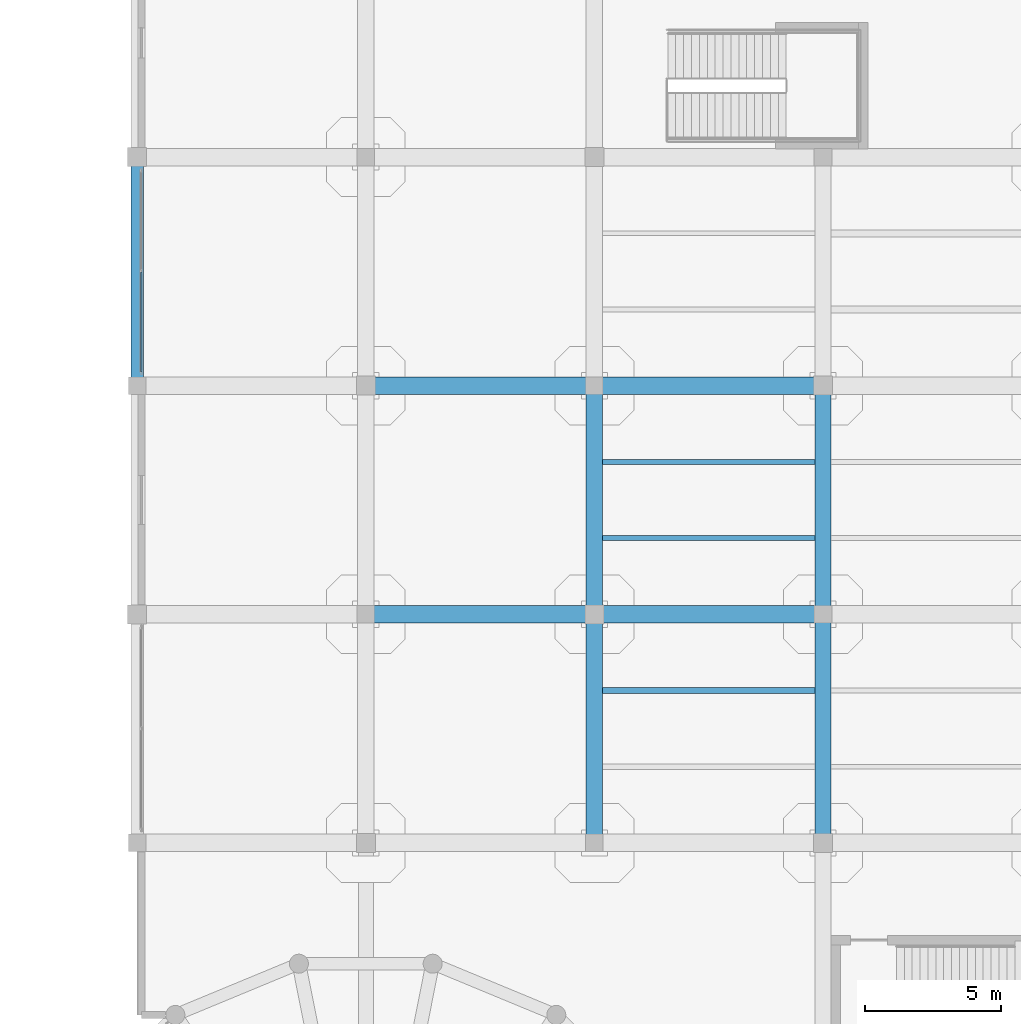
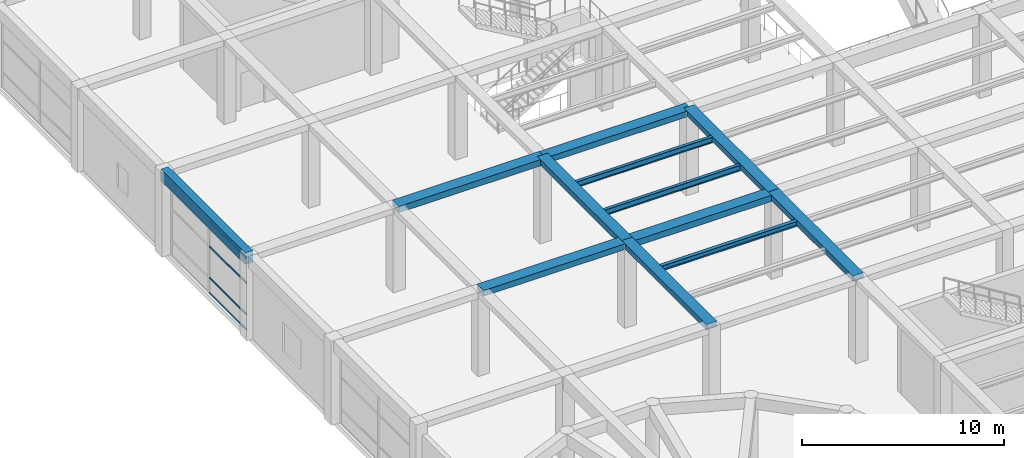
# One storey, part 19 of 95: 12 beams, 4 members, 1 element without a shape of its own.
"""IFC4 building model written with IfcOpenShell, lengths in metres."""

from ifc_helpers import new_model, si_unit, direction, frame, origin, origin_2d, place, context, subcontext, project, spatial, rectangle, hollow_rectangle, i_section, extrude, material, material_profile, profile_set, type_object, element, aggregate, save


model = new_model("IFC4")

# Units and contexts
model_context = context("Model", 3, precision=1e-05, world=origin(), true_north=direction((0.0, 1.0)))
body_context = subcontext(model_context, "Body", "Model", "MODEL_VIEW")
ifc_project = project(units=[si_unit("LENGTHUNIT", "METRE"), si_unit("AREAUNIT", "SQUARE_METRE"), si_unit("VOLUMEUNIT", "CUBIC_METRE"), si_unit("PLANEANGLEUNIT", "RADIAN"), si_unit("MASSUNIT", "GRAM", prefix="KILO")], contexts=[model_context])

# Site, building, storey
site_placement = place(None, origin())
site = spatial("IfcSite", under=ifc_project, at=site_placement, CompositionType="ELEMENT")
building_placement = place(site_placement, origin())
building = spatial("IfcBuilding", under=site, at=building_placement, Name="Almacenes y Pasaje Nevantli", CompositionType="ELEMENT")
storey_placement = place(building_placement, frame((0.0, 0.0, 11.39990234375)))
storey = spatial("IfcBuildingStorey", under=building, at=storey_placement, Name="L03", CompositionType="ELEMENT", Elevation=11.39990234375)

# Beams
ifc_material_1 = material(Name="Concrete C35/45", Category="concrete")
ifc_material_profile_1 = material_profile(ifc_material_1, rectangle(XDim=0.449951171875, YDim=0.699951171875, at=origin_2d()), Name="RC-BM-450x700")
ifc_profile_set_1 = profile_set([ifc_material_profile_1], Name="Concrete C35/45")
beam_type_1 = type_object("IfcBeamType", Name="BM-RC-450x700", PredefinedType="SPANDREL", material=ifc_profile_set_1)
beam_1_placement = place(storey_placement, frame((0.0, 42.0, 4.75), z_axis=(0.0, 1.0, 0.0), x_axis=(-1.0, 0.0, 0.0)))
element("IfcBeam", 1, at=beam_1_placement, inside=storey, type_object=beam_type_1, Name="L03 North-South Reinforced Concrete Beam #2482", PredefinedType="SPANDREL", context=body_context, shape_type="SweptSolid", body=[
    extrude(rectangle(XDim=0.449951171875, YDim=0.699951171875, at=origin_2d()), origin(), (0.0, 0.0, 1.0), 8.39990234375),
])
ifc_material_2 = material(Name="Concrete C35/45", Category="concrete")
ifc_material_profile_2 = material_profile(ifc_material_2, rectangle(XDim=0.60009765625, YDim=0.320068359375, at=origin_2d()), Name="RC-BM-600x320")
ifc_profile_set_2 = profile_set([ifc_material_profile_2], Name="Concrete C35/45")
beam_type_2 = type_object("IfcBeamType", Name="BM-RC-600x320", PredefinedType="BEAM", material=ifc_profile_set_2)
beam_2_placement = place(storey_placement, frame((16.800048828125, 25.199951171875, 4.940185546875), z_axis=(0.0, 1.0, 0.0), x_axis=(-1.0, 0.0, 0.0)))
element("IfcBeam", 2, at=beam_2_placement, inside=storey, type_object=beam_type_2, Name="L03 North-South Reinforced Concrete Beam #2502", PredefinedType="BEAM", context=body_context, shape_type="SweptSolid", body=[
    extrude(rectangle(XDim=0.60009765625, YDim=0.320068359375, at=origin_2d()), origin(), (0.0, 0.0, 1.0), 8.400146484375),
])
beam_3_placement = place(storey_placement, frame((25.199951171875, 33.60009765625, 4.940185546875), z_axis=(0.0, 1.0, 0.0), x_axis=(-1.0, 0.0, 0.0)))
element("IfcBeam", 3, at=beam_3_placement, inside=storey, type_object=beam_type_2, Name="L03 North-South Reinforced Concrete Beam #2515", PredefinedType="BEAM", context=body_context, shape_type="SweptSolid", body=[
    extrude(rectangle(XDim=0.60009765625, YDim=0.320068359375, at=origin_2d()), origin(), (0.0, 0.0, 1.0), 8.39990234375),
])
ifc_material_3 = material(Name="Concrete C35/45", Category="concrete")
ifc_material_profile_3 = material_profile(ifc_material_3, rectangle(XDim=0.60009765625, YDim=0.340087890625, at=origin_2d()), Name="RC-BM-600x340")
ifc_profile_set_3 = profile_set([ifc_material_profile_3], Name="Concrete C35/45")
beam_type_3 = type_object("IfcBeamType", Name="BM-RC-600x340", PredefinedType="BEAM", material=ifc_profile_set_3)
beam_4_placement = place(storey_placement, frame((16.800048828125, 33.60009765625, 4.93017578125), z_axis=(0.0, 1.0, 0.0), x_axis=(-1.0, 0.0, 0.0)))
element("IfcBeam", 4, at=beam_4_placement, inside=storey, type_object=beam_type_3, Name="L03 North-South Reinforced Concrete Beam #2503", PredefinedType="BEAM", context=body_context, shape_type="SweptSolid", body=[
    extrude(rectangle(XDim=0.60009765625, YDim=0.340087890625, at=origin_2d()), origin(), (0.0, 0.0, 1.0), 8.39990234375),
])
beam_5_placement = place(storey_placement, frame((25.199951171875, 25.199951171875, 4.93017578125), z_axis=(0.0, 1.0, 0.0), x_axis=(-1.0, 0.0, 0.0)))
element("IfcBeam", 5, at=beam_5_placement, inside=storey, type_object=beam_type_3, Name="L03 North-South Reinforced Concrete Beam #2514", PredefinedType="BEAM", context=body_context, shape_type="SweptSolid", body=[
    extrude(rectangle(XDim=0.60009765625, YDim=0.340087890625, at=origin_2d()), origin(), (0.0, 0.0, 1.0), 8.400146484375),
])
ifc_material_4 = material(Name="Concrete C35/45", Category="concrete")
ifc_material_profile_4 = material_profile(ifc_material_4, rectangle(XDim=0.64990234375, YDim=0.35009765625, at=origin_2d()), Name="RC-BM-650x350")
ifc_profile_set_4 = profile_set([ifc_material_profile_4], Name="Concrete C35/45")
beam_type_4 = type_object("IfcBeamType", Name="BM-RC-650x350", PredefinedType="BEAM", material=ifc_profile_set_4)
beam_6_placement = place(storey_placement, frame((8.39990234375, 33.60009765625, 4.925048828125), z_axis=(1.0, 0.0, 0.0), x_axis=(0.0, 1.0, 0.0)))
element("IfcBeam", 6, at=beam_6_placement, inside=storey, type_object=beam_type_4, Name="L03 East-West Reinforced Concrete Beam #2300", PredefinedType="BEAM", context=body_context, shape_type="SweptSolid", body=[
    extrude(rectangle(XDim=0.64990234375, YDim=0.35009765625, at=origin_2d()), origin(), (0.0, 0.0, 1.0), 8.400146484375),
])
beam_7_placement = place(storey_placement, frame((16.800048828125, 42.0, 4.925048828125), z_axis=(1.0, 0.0, 0.0), x_axis=(0.0, 1.0, 0.0)))
element("IfcBeam", 7, at=beam_7_placement, inside=storey, type_object=beam_type_4, Name="L03 East-West Reinforced Concrete Beam #2318", PredefinedType="BEAM", context=body_context, shape_type="SweptSolid", body=[
    extrude(rectangle(XDim=0.64990234375, YDim=0.35009765625, at=origin_2d()), origin(), (0.0, 0.0, 1.0), 8.39990234375),
])
ifc_material_5 = material(Name="Concrete C35/45", Category="concrete")
ifc_material_profile_5 = material_profile(ifc_material_5, rectangle(XDim=0.64990234375, YDim=0.3798828125, at=origin_2d()), Name="RC-BM-650x380")
ifc_profile_set_5 = profile_set([ifc_material_profile_5], Name="Concrete C35/45")
beam_type_5 = type_object("IfcBeamType", Name="BM-RC-650x380", PredefinedType="BEAM", material=ifc_profile_set_5)
beam_8_placement = place(storey_placement, frame((16.800048828125, 33.60009765625, 4.91015625), z_axis=(1.0, 0.0, 0.0), x_axis=(0.0, 1.0, 0.0)))
element("IfcBeam", 8, at=beam_8_placement, inside=storey, type_object=beam_type_5, Name="L03 East-West Reinforced Concrete Beam #2301", PredefinedType="BEAM", context=body_context, shape_type="SweptSolid", body=[
    extrude(rectangle(XDim=0.64990234375, YDim=0.3798828125, at=origin_2d()), origin(), (0.0, 0.0, 1.0), 8.39990234375),
])
beam_9_placement = place(storey_placement, frame((8.39990234375, 42.0, 4.91015625), z_axis=(1.0, 0.0, 0.0), x_axis=(0.0, 1.0, 0.0)))
element("IfcBeam", 9, at=beam_9_placement, inside=storey, type_object=beam_type_5, Name="L03 East-West Reinforced Concrete Beam #2317", PredefinedType="BEAM", context=body_context, shape_type="SweptSolid", body=[
    extrude(rectangle(XDim=0.64990234375, YDim=0.3798828125, at=origin_2d()), origin(), (0.0, 0.0, 1.0), 8.400146484375),
])
ifc_material_6 = material(Name="Steel ASTM A992", Category="steel")
ifc_material_profile_6 = material_profile(ifc_material_6, i_section(OverallWidth=0.205078125, OverallDepth=0.31005859375, WebThickness=0.009521484375, FlangeThickness=0.016357421875, at=origin_2d()), Name="IR 305x74.4")
ifc_profile_set_6 = profile_set([ifc_material_profile_6], Name="Steel ASTM A992")
beam_type_6 = type_object("IfcBeamType", Name="BM-STL-IR-305x74p4", PredefinedType="JOIST", material=ifc_profile_set_6)
beam_10_placement = place(storey_placement, frame((17.10009765625, 30.800048828125, 4.93701171875), z_axis=(1.0, 0.0, 0.0), x_axis=(0.0, 1.0, 0.0)))
element("IfcBeam", 10, at=beam_10_placement, inside=storey, type_object=beam_type_6, Name="L03 Secondary Steel Floor Joist #682", PredefinedType="JOIST", context=body_context, shape_type="SweptSolid", body=[
    extrude(i_section(OverallWidth=0.205078125, OverallDepth=0.31005859375, WebThickness=0.009521484375, FlangeThickness=0.016357421875, at=origin_2d()), origin(), (0.0, 0.0, 1.0), 7.7998046875),
])
ifc_material_7 = material(Name="Steel ASTM A992", Category="steel")
ifc_material_profile_7 = material_profile(ifc_material_7, i_section(OverallWidth=0.173095703125, OverallDepth=0.35302734375, WebThickness=0.0078125, FlangeThickness=0.01318359375, at=origin_2d()), Name="IR 356x56.6")
ifc_profile_set_7 = profile_set([ifc_material_profile_7], Name="Steel ASTM A992")
beam_type_7 = type_object("IfcBeamType", Name="BM-STL-IR-356x56p6", PredefinedType="JOIST", material=ifc_profile_set_7)
for number, where, z_axis, x_axis, name in (
    (11, (17.10009765625, 36.39990234375, 4.91552734375), (1.0, 0.0, 0.0), (0.0, 1.0, 0.0), "L03 Secondary Steel Floor Joist #683"),
    (12, (17.10009765625, 39.199951171875, 4.91552734375), (1.0, 0.0, 0.0), (0.0, 1.0, 0.0), "L03 Secondary Steel Floor Joist #684"),
):
    element("IfcBeam", number, at=place(storey_placement, frame(where, z_axis=z_axis, x_axis=x_axis)), inside=storey, type_object=beam_type_7, Name=name, PredefinedType="JOIST", context=body_context, shape_type="SweptSolid", body=[
        extrude(i_section(OverallWidth=0.173095703125, OverallDepth=0.35302734375, WebThickness=0.0078125, FlangeThickness=0.01318359375, at=origin_2d()), origin(), (0.0, 0.0, 1.0), 7.7998046875),
    ])

# Curtain wall, members
ifc_material_8 = material(Name="Thermally Broken Aluminium and Low-E Glass", Category="aluminium")
curtain_wall_type = type_object("IfcCurtainWallType", Name="CW-UNIT-PODIUM", PredefinedType="USERDEFINED", material=ifc_material_8)
curtain_wall_placement = place(storey_placement, origin())
curtain_wall = element("IfcCurtainWall", 13, at=curtain_wall_placement, inside=storey, type_object=curtain_wall_type, Name="L03 West Avenue Unitized Curtain Wall Bay 6", ObjectType="UNITIZED CURTAIN WALL", PredefinedType="USERDEFINED")
ifc_material_9 = material(Name="Thermally Broken Anodized Aluminium", Category="aluminium")
ifc_material_profile_8 = material_profile(ifc_material_9, hollow_rectangle(XDim=0.054931640625, YDim=0.10498046875, WallThickness=0.003173828125, at=origin_2d()), Name="ALU-TRN-55x105")
ifc_profile_set_8 = profile_set([ifc_material_profile_8], Name="Thermally Broken Anodized Aluminium")
member_type = type_object("IfcMemberType", Name="CW-TRN-120", PredefinedType="USERDEFINED", material=ifc_profile_set_8)
member_1_placement = place(storey_placement, frame((0.14990234375, 42.5048828125, 0.027587890625), z_axis=(0.0, 1.0, 0.0), x_axis=(-1.0, 0.0, 0.0)))
member_1 = element("IfcMember", 14, at=member_1_placement, type_object=member_type, Name="CW-L03-049 transom 1.1", ObjectType="TRANSOM", PredefinedType="USERDEFINED", context=body_context, shape_type="SweptSolid", body=[
    extrude(hollow_rectangle(XDim=0.054931640625, YDim=0.10498046875, WallThickness=0.003173828125, at=origin_2d()), origin(), (0.0, 0.0, 1.0), 3.667724609375),
])
member_2_placement = place(storey_placement, frame((0.14990234375, 42.5048828125, 0.9501953125), z_axis=(0.0, 1.0, 0.0), x_axis=(-1.0, 0.0, 0.0)))
member_2 = element("IfcMember", 15, at=member_2_placement, type_object=member_type, Name="CW-L03-049 transom 1.2", ObjectType="TRANSOM", PredefinedType="USERDEFINED", context=body_context, shape_type="SweptSolid", body=[
    extrude(hollow_rectangle(XDim=0.054931640625, YDim=0.10498046875, WallThickness=0.003173828125, at=origin_2d()), origin(), (0.0, 0.0, 1.0), 3.667724609375),
])
member_3_placement = place(storey_placement, frame((0.14990234375, 42.5048828125, 2.85009765625), z_axis=(0.0, 1.0, 0.0), x_axis=(-1.0, 0.0, 0.0)))
member_3 = element("IfcMember", 16, at=member_3_placement, type_object=member_type, Name="CW-L03-049 transom 1.3", ObjectType="TRANSOM", PredefinedType="USERDEFINED", context=body_context, shape_type="SweptSolid", body=[
    extrude(hollow_rectangle(XDim=0.054931640625, YDim=0.10498046875, WallThickness=0.003173828125, at=origin_2d()), origin(), (0.0, 0.0, 1.0), 3.667724609375),
])
member_4_placement = place(storey_placement, frame((0.14990234375, 42.5048828125, 4.3525390625), z_axis=(0.0, 1.0, 0.0), x_axis=(-1.0, 0.0, 0.0)))
member_4 = element("IfcMember", 17, at=member_4_placement, type_object=member_type, Name="CW-L03-049 transom 1.4", ObjectType="TRANSOM", PredefinedType="USERDEFINED", context=body_context, shape_type="SweptSolid", body=[
    extrude(hollow_rectangle(XDim=0.054931640625, YDim=0.10498046875, WallThickness=0.003173828125, at=origin_2d()), origin(), (0.0, 0.0, 1.0), 3.667724609375),
])
aggregate(curtain_wall, [member_1, member_2, member_3, member_4])

save(model, "model.ifc")
